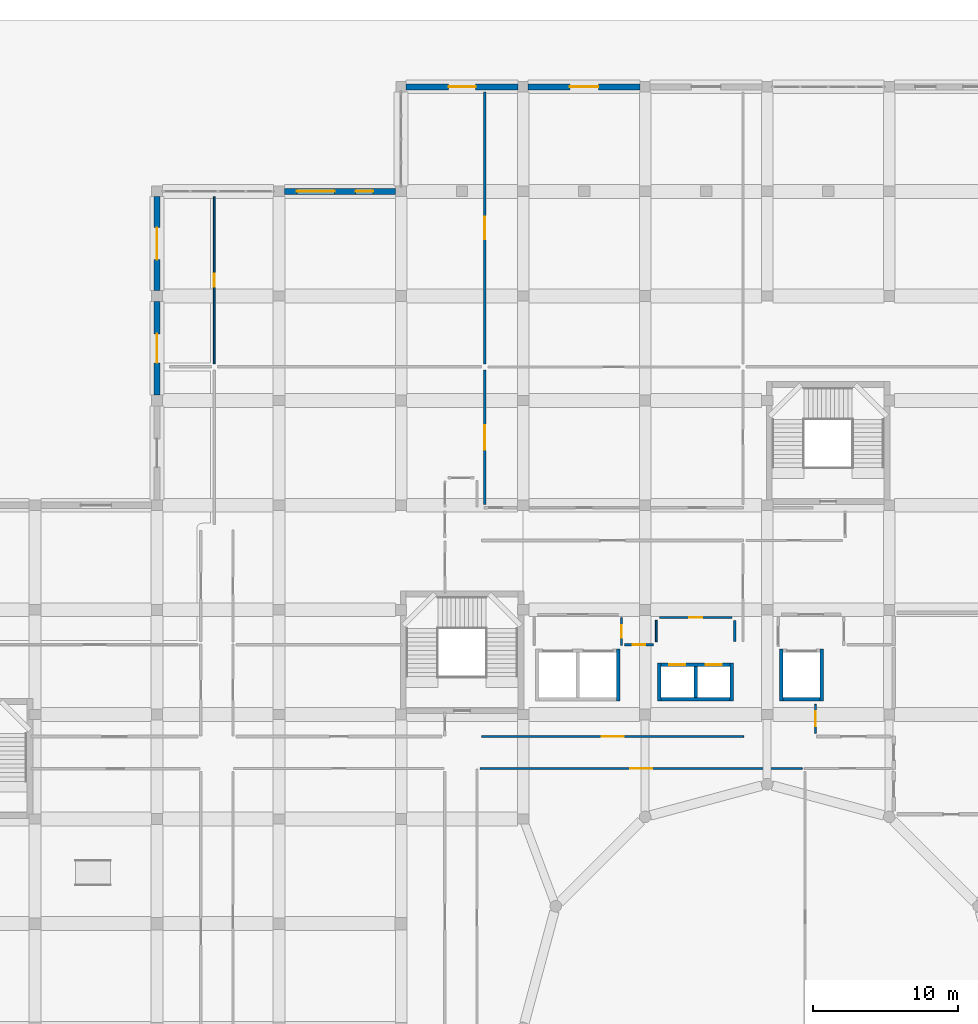
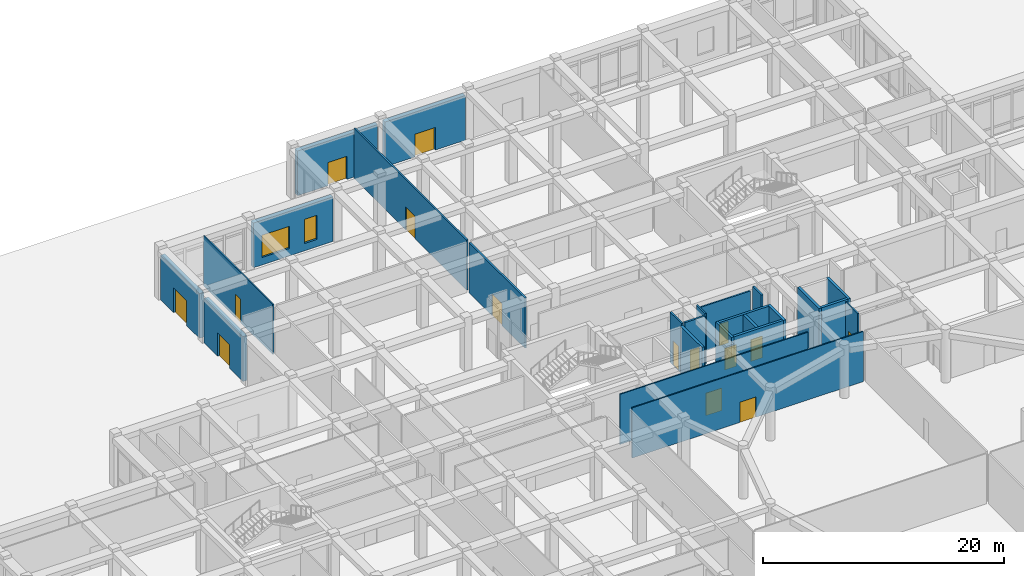
# One storey, part 72 of 84: 25 walls, 15 doors, 2 windows, 17 openings.
"""IFC4 building model written with IfcOpenShell, lengths in metres."""

from ifc_helpers import new_model, si_unit, derived_unit, direction, frame, frame_2d, origin, place, context, subcontext, project, spatial, rectangle, extrude, material, layer, layer_set, type_object, element, fill, save


model = new_model("IFC4")

# Units and contexts
model_context = context("Model", 3, precision=1e-05, world=origin(), true_north=direction((0.0, 1.0)))
body_context = subcontext(model_context, "Body", "Model", "MODEL_VIEW")
ifc_project = project(units=[si_unit("LENGTHUNIT", "METRE"), si_unit("AREAUNIT", "SQUARE_METRE"), si_unit("VOLUMEUNIT", "CUBIC_METRE"), si_unit("PLANEANGLEUNIT", "RADIAN"), si_unit("MASSUNIT", "GRAM", prefix="KILO"), derived_unit("THERMALTRANSMITTANCEUNIT", [(si_unit("POWERUNIT", "WATT"), 1), (si_unit("LENGTHUNIT", "METRE"), -2), (si_unit("THERMODYNAMICTEMPERATUREUNIT", "KELVIN"), -1)])], contexts=[model_context])

# Site, building, storey
site_placement = place(None, origin())
site = spatial("IfcSite", under=ifc_project, at=site_placement, CompositionType="ELEMENT")
building_placement = place(site_placement, origin())
building = spatial("IfcBuilding", under=site, at=building_placement, Name="Veybourne Emporium", CompositionType="ELEMENT")
storey_placement = place(building_placement, origin())
storey = spatial("IfcBuildingStorey", under=building, at=storey_placement, Name="L00", CompositionType="ELEMENT", Elevation=0.0)

# Wall, opening, door
ifc_material_1 = material(Name="Honed Black Granite Plinth", Category="masonry")
ifc_layer_1 = layer(ifc_material_1, 0.419921875)
ifc_layer_set_1 = layer_set([ifc_layer_1], Name="Honed Black Granite Plinth")
wall_type_1 = type_object("IfcWallType", Name="ExtWall_EW-02", PredefinedType="SOLIDWALL", material=ifc_layer_set_1)
wall_1_placement = place(storey_placement, frame((33.60009765625, 93.97509765625, 0.0), z_axis=(0.0, 0.0, 1.0), x_axis=(0.0, 1.0, 0.0)))
wall_1 = element("IfcWall", 1, at=wall_1_placement, inside=storey, type_object=wall_type_1, Name="Ground street granite plinth entrance wall 023", PredefinedType="SOLIDWALL", context=body_context, shape_type="SweptSolid", body=[
    extrude(rectangle(XDim=6.449951171875, YDim=0.419921875, at=frame_2d((3.22509765625, 0.0))), origin(), (0.0, 0.0, 1.0), 4.530029296875),
])
opening_1_placement = place(wall_1_placement, frame((2.22509765625, 0.0, 0.0)))
opening_1 = element("IfcOpeningElement", 2, at=opening_1_placement, cuts=wall_1, Name="Opening EX-01", PredefinedType="OPENING", context=body_context, shape_type="SweptSolid", body=[
    extrude(rectangle(XDim=2.0, YDim=2.39990234375, at=frame_2d((1.0, 1.199951171875))), frame((0.0, 0.22998046875, 0.0), z_axis=(0.0, -1.0, 0.0), x_axis=(1.0, 0.0, 0.0)), (0.0, 0.0, 1.0), 0.4599609375),
])
ifc_material_2 = material(Name="Patinated Architectural Bronze", Category="bronze")
door_type_1 = type_object("IfcDoorType", Name="ExitDoor_EX-01", OperationType="DOUBLE_DOOR_SINGLE_SWING", PredefinedType="DOOR", material=ifc_material_2)
door_1_placement = place(opening_1_placement, origin())
door_1 = element("IfcDoor", 3, at=door_1_placement, inside=storey, type_object=door_type_1, Name="Pedestrian final exit door EX-01 #12", OperationType="DOUBLE_DOOR_SINGLE_SWING", OverallHeight=2.39990234375, OverallWidth=2.0, PredefinedType="DOOR", context=body_context, shape_type="SweptSolid", body=[
    extrude(rectangle(XDim=2.0, YDim=2.39990234375, at=frame_2d((1.0, 1.199951171875))), frame((0.0, 0.02490234375, 0.0), z_axis=(0.0, -1.0, 0.0), x_axis=(1.0, 0.0, 0.0)), (0.0, 0.0, 1.0), 0.050048828125),
])
fill(opening_1, door_1)

wall_2_placement = place(storey_placement, frame((33.60009765625, 101.175048828125, 0.0), z_axis=(0.0, 0.0, 1.0), x_axis=(0.0, 1.0, 0.0)))
wall_2 = element("IfcWall", 4, at=wall_2_placement, inside=storey, type_object=wall_type_1, Name="Ground street granite plinth entrance wall 025", PredefinedType="SOLIDWALL", context=body_context, shape_type="SweptSolid", body=[
    extrude(rectangle(XDim=6.46484375, YDim=0.419921875, at=frame_2d((3.232421875, 0.0))), origin(), (0.0, 0.0, 1.0), 4.530029296875),
])
opening_2_placement = place(wall_2_placement, frame((2.132568359375, 0.0, 0.0)))
opening_2 = element("IfcOpeningElement", 5, at=opening_2_placement, cuts=wall_2, Name="Opening EX-02", PredefinedType="OPENING", context=body_context, shape_type="SweptSolid", body=[
    extrude(rectangle(XDim=2.199951171875, YDim=2.5, at=frame_2d((1.10009765625, 1.25))), frame((0.0, 0.22998046875, 0.0), z_axis=(0.0, -1.0, 0.0), x_axis=(1.0, 0.0, 0.0)), (0.0, 0.0, 1.0), 0.4599609375),
])
door_type_2 = type_object("IfcDoorType", Name="ExitDoor_EX-02", OperationType="DOUBLE_DOOR_SINGLE_SWING", PredefinedType="DOOR", material=ifc_material_2)
door_2_placement = place(opening_2_placement, origin())
door_2 = element("IfcDoor", 6, at=door_2_placement, inside=storey, type_object=door_type_2, Name="Pedestrian final exit door EX-02 #13", OperationType="DOUBLE_DOOR_SINGLE_SWING", OverallHeight=2.5, OverallWidth=2.199951171875, PredefinedType="DOOR", context=body_context, shape_type="SweptSolid", body=[
    extrude(rectangle(XDim=2.199951171875, YDim=2.5, at=frame_2d((1.10009765625, 1.25))), frame((0.0, 0.02490234375, 0.0), z_axis=(0.0, -1.0, 0.0), x_axis=(1.0, 0.0, 0.0)), (0.0, 0.0, 1.0), 0.050048828125),
])
fill(opening_2, door_2)

# Wall, openings, windows
wall_3_placement = place(storey_placement, frame((42.389892578125, 108.0, 0.0), z_axis=(0.0, 0.0, 1.0), x_axis=(1.0, 0.0, 0.0)))
wall_3 = element("IfcWall", 7, at=wall_3_placement, inside=storey, type_object=wall_type_1, Name="L00 Portland stone external wall 027", PredefinedType="SOLIDWALL", context=body_context, shape_type="SweptSolid", body=[
    extrude(rectangle(XDim=7.6201171875, YDim=0.419921875, at=frame_2d((3.81005859375, 0.0))), origin(), (0.0, 0.0, 1.0), 4.530029296875),
])
opening_3_placement = place(wall_3_placement, frame((0.83349609375, 0.0, 0.75)))
opening_3 = element("IfcOpeningElement", 8, at=opening_3_placement, cuts=wall_3, Name="Opening W-24", PredefinedType="OPENING", context=body_context, shape_type="SweptSolid", body=[
    extrude(rectangle(XDim=2.60009765625, YDim=2.260009765625, at=frame_2d((1.300048828125, 1.1298828125))), frame((0.0, 0.22998046875, 0.0), z_axis=(0.0, -1.0, 0.0), x_axis=(1.0, 0.0, 0.0)), (0.0, 0.0, 1.0), 0.4599609375),
])
opening_4_placement = place(wall_3_placement, frame((4.886474609375, 0.0, 0.75)))
opening_4 = element("IfcOpeningElement", 9, at=opening_4_placement, cuts=wall_3, Name="Opening W-25", PredefinedType="OPENING", context=body_context, shape_type="SweptSolid", body=[
    extrude(rectangle(XDim=1.199951171875, YDim=2.43994140625, at=frame_2d((0.60009765625, 1.219970703125))), frame((0.0, 0.22998046875, 0.0), z_axis=(0.0, -1.0, 0.0), x_axis=(1.0, 0.0, 0.0)), (0.0, 0.0, 1.0), 0.4599609375),
])
ifc_material_3 = material(Name="Low-E Triple Glazing", Category="glass")
window_type_1 = type_object("IfcWindowType", Name="Win_W-24", PartitioningType="TRIPLE_PANEL_VERTICAL", PredefinedType="WINDOW", material=ifc_material_3)
window_1_placement = place(opening_3_placement, origin())
window_1 = element("IfcWindow", 10, at=window_1_placement, inside=storey, type_object=window_type_1, Name="L00 tripartite bronze casement window W-24 (27.1)", OverallHeight=2.260009765625, OverallWidth=2.60009765625, PartitioningType="TRIPLE_PANEL_VERTICAL", PredefinedType="WINDOW", context=body_context, shape_type="SweptSolid", body=[
    extrude(rectangle(XDim=2.60009765625, YDim=2.260009765625, at=frame_2d((1.300048828125, 1.1298828125))), frame((0.0, 0.030029296875, 0.0), z_axis=(0.0, -1.0, 0.0), x_axis=(1.0, 0.0, 0.0)), (0.0, 0.0, 1.0), 0.06005859375),
])
fill(opening_3, window_1)
window_type_2 = type_object("IfcWindowType", Name="Win_W-25", PartitioningType="SINGLE_PANEL", PredefinedType="WINDOW", material=ifc_material_3)
window_2_placement = place(opening_4_placement, origin())
window_2 = element("IfcWindow", 11, at=window_2_placement, inside=storey, type_object=window_type_2, Name="L00 tripartite bronze casement window W-25 (27.2)", OverallHeight=2.43994140625, OverallWidth=1.199951171875, PartitioningType="SINGLE_PANEL", PredefinedType="WINDOW", context=body_context, shape_type="SweptSolid", body=[
    extrude(rectangle(XDim=1.199951171875, YDim=2.43994140625, at=frame_2d((0.60009765625, 1.219970703125))), frame((0.0, 0.030029296875, 0.0), z_axis=(0.0, -1.0, 0.0), x_axis=(1.0, 0.0, 0.0)), (0.0, 0.0, 1.0), 0.06005859375),
])
fill(opening_4, window_2)

# Wall, opening, door
wall_4_placement = place(storey_placement, frame((50.75, 115.199951171875, 0.0), z_axis=(0.0, 0.0, 1.0), x_axis=(1.0, 0.0, 0.0)))
wall_4 = element("IfcWall", 12, at=wall_4_placement, inside=storey, type_object=wall_type_1, Name="Ground street granite plinth entrance wall 029", PredefinedType="SOLIDWALL", context=body_context, shape_type="SweptSolid", body=[
    extrude(rectangle(XDim=7.699951171875, YDim=0.419921875, at=frame_2d((3.85009765625, 0.0))), origin(), (0.0, 0.0, 1.0), 4.530029296875),
])
opening_5_placement = place(wall_4_placement, frame((2.925048828125, 0.0, 0.0)))
opening_5 = element("IfcOpeningElement", 13, at=opening_5_placement, cuts=wall_4, Name="Opening EX-04", PredefinedType="OPENING", context=body_context, shape_type="SweptSolid", body=[
    extrude(rectangle(XDim=1.85009765625, YDim=2.35009765625, at=frame_2d((0.925048828125, 1.175048828125))), frame((0.0, 0.22998046875, 0.0), z_axis=(0.0, -1.0, 0.0), x_axis=(1.0, 0.0, 0.0)), (0.0, 0.0, 1.0), 0.4599609375),
])
door_type_3 = type_object("IfcDoorType", Name="ExitDoor_EX-04", OperationType="DOUBLE_DOOR_SINGLE_SWING", PredefinedType="DOOR", material=ifc_material_2)
door_3_placement = place(opening_5_placement, origin())
door_3 = element("IfcDoor", 14, at=door_3_placement, inside=storey, type_object=door_type_3, Name="Pedestrian final exit door EX-04 #15", OperationType="DOUBLE_DOOR_SINGLE_SWING", OverallHeight=2.35009765625, OverallWidth=1.85009765625, PredefinedType="DOOR", context=body_context, shape_type="SweptSolid", body=[
    extrude(rectangle(XDim=1.85009765625, YDim=2.35009765625, at=frame_2d((0.925048828125, 1.175048828125))), frame((0.0, 0.02490234375, 0.0), z_axis=(0.0, -1.0, 0.0), x_axis=(1.0, 0.0, 0.0)), (0.0, 0.0, 1.0), 0.050048828125),
])
fill(opening_5, door_3)

wall_5_placement = place(storey_placement, frame((59.14990234375, 115.199951171875, 0.0), z_axis=(0.0, 0.0, 1.0), x_axis=(1.0, 0.0, 0.0)))
wall_5 = element("IfcWall", 15, at=wall_5_placement, inside=storey, type_object=wall_type_1, Name="Ground street granite plinth entrance wall 032", PredefinedType="SOLIDWALL", context=body_context, shape_type="SweptSolid", body=[
    extrude(rectangle(XDim=7.7001953125, YDim=0.419921875, at=frame_2d((3.85009765625, 0.0))), origin(), (0.0, 0.0, 1.0), 4.530029296875),
])
opening_6_placement = place(wall_5_placement, frame((2.875, 0.0, 0.0)))
opening_6 = element("IfcOpeningElement", 16, at=opening_6_placement, cuts=wall_5, Name="Opening EX-06", PredefinedType="OPENING", context=body_context, shape_type="SweptSolid", body=[
    extrude(rectangle(XDim=1.949951171875, YDim=2.300048828125, at=frame_2d((0.97509765625, 1.14990234375))), frame((0.0, 0.22998046875, 0.0), z_axis=(0.0, -1.0, 0.0), x_axis=(1.0, 0.0, 0.0)), (0.0, 0.0, 1.0), 0.4599609375),
])
door_type_4 = type_object("IfcDoorType", Name="ExitDoor_EX-06", OperationType="DOUBLE_DOOR_SINGLE_SWING", PredefinedType="DOOR", material=ifc_material_2)
door_4_placement = place(opening_6_placement, origin())
door_4 = element("IfcDoor", 17, at=door_4_placement, inside=storey, type_object=door_type_4, Name="Pedestrian final exit door EX-06 #17", OperationType="DOUBLE_DOOR_SINGLE_SWING", OverallHeight=2.300048828125, OverallWidth=1.949951171875, PredefinedType="DOOR", context=body_context, shape_type="SweptSolid", body=[
    extrude(rectangle(XDim=1.949951171875, YDim=2.300048828125, at=frame_2d((0.97509765625, 1.14990234375))), frame((0.0, 0.02490234375, 0.0), z_axis=(0.0, -1.0, 0.0), x_axis=(1.0, 0.0, 0.0)), (0.0, 0.0, 1.0), 0.050048828125),
])
fill(opening_6, door_4)

# Wall, openings, doors
ifc_material_4 = material(Name="Concrete C40/50", Category="concrete")
ifc_layer_2 = layer(ifc_material_4, 0.239990234375)
ifc_layer_set_2 = layer_set([ifc_layer_2], Name="Concrete C40/50")
wall_type_2 = type_object("IfcWallType", Name="IntWall_CW-04", PredefinedType="SHEAR", material=ifc_layer_set_2)
wall_6_placement = place(storey_placement, frame((73.0400390625, 75.419921875, 0.0), z_axis=(0.0, 0.0, 1.0), x_axis=(-1.0, 0.0, 0.0)))
wall_6 = element("IfcWall", 18, at=wall_6_placement, inside=storey, type_object=wall_type_2, Name="Lift core C4P north shaft wall (L00)", PredefinedType="SHEAR", context=body_context, shape_type="SweptSolid", body=[
    extrude(rectangle(XDim=4.739990234375, YDim=0.239990234375, at=frame_2d((2.3701171875, 0.0))), origin(), (0.0, 0.0, 1.0), 5.080078125),
])
opening_7_placement = place(wall_6_placement, frame((3.06494140625, 0.0, 0.0)))
opening_7 = element("IfcOpeningElement", 19, at=opening_7_placement, cuts=wall_6, Name="Opening LD-01", PredefinedType="OPENING", context=body_context, shape_type="SweptSolid", body=[
    extrude(rectangle(XDim=1.10009765625, YDim=2.199951171875, at=frame_2d((0.550048828125, 1.10009765625))), frame((0.0, 0.14013671875, 0.0), z_axis=(0.0, -1.0, 0.0), x_axis=(1.0, 0.0, 0.0)), (0.0, 0.0, 1.0), 0.280029296875),
])
opening_8_placement = place(wall_6_placement, frame((0.574951171875, 0.0, 0.0)))
opening_8 = element("IfcOpeningElement", 20, at=opening_8_placement, cuts=wall_6, Name="Opening LD-01", PredefinedType="OPENING", context=body_context, shape_type="SweptSolid", body=[
    extrude(rectangle(XDim=1.10009765625, YDim=2.199951171875, at=frame_2d((0.550048828125, 1.10009765625))), frame((0.0, 0.14013671875, 0.0), z_axis=(0.0, -1.0, 0.0), x_axis=(1.0, 0.0, 0.0)), (0.0, 0.0, 1.0), 0.280029296875),
])
door_type_5 = type_object("IfcDoorType", Name="FireDoor_LD-01", OperationType="DOUBLE_DOOR_SLIDING", PredefinedType="DOOR", material=ifc_material_2)
door_5_placement = place(opening_7_placement, origin())
door_5 = element("IfcDoor", 21, at=door_5_placement, inside=storey, type_object=door_type_5, Name="Lift PL-05 sliding landing door (L00)", OperationType="DOUBLE_DOOR_SLIDING", OverallHeight=2.199951171875, OverallWidth=1.10009765625, PredefinedType="DOOR", context=body_context, shape_type="SweptSolid", body=[
    extrude(rectangle(XDim=1.10009765625, YDim=2.199951171875, at=frame_2d((0.550048828125, 1.10009765625))), frame((0.0, 0.02490234375, 0.0), z_axis=(0.0, -1.0, 0.0), x_axis=(1.0, 0.0, 0.0)), (0.0, 0.0, 1.0), 0.050048828125),
])
fill(opening_7, door_5)
door_6_placement = place(opening_8_placement, origin())
door_6 = element("IfcDoor", 22, at=door_6_placement, inside=storey, type_object=door_type_5, Name="Lift PL-06 sliding landing door (L00)", OperationType="DOUBLE_DOOR_SLIDING", OverallHeight=2.199951171875, OverallWidth=1.10009765625, PredefinedType="DOOR", context=body_context, shape_type="SweptSolid", body=[
    extrude(rectangle(XDim=1.10009765625, YDim=2.199951171875, at=frame_2d((0.550048828125, 1.10009765625))), frame((0.0, 0.02490234375, 0.0), z_axis=(0.0, -1.0, 0.0), x_axis=(1.0, 0.0, 0.0)), (0.0, 0.0, 1.0), 0.050048828125),
])
fill(opening_8, door_6)

# Walls
wall_7_placement = place(storey_placement, frame((68.300048828125, 73.030029296875, 0.0), z_axis=(0.0, 0.0, 1.0), x_axis=(1.0, 0.0, 0.0)))
element("IfcWall", 23, at=wall_7_placement, inside=storey, type_object=wall_type_2, Name="Lift core C4P south shaft wall (L00)", PredefinedType="SHEAR", context=body_context, shape_type="SweptSolid", body=[
    extrude(rectangle(XDim=4.739990234375, YDim=0.239990234375, at=frame_2d((2.3701171875, 0.0))), origin(), (0.0, 0.0, 1.0), 5.080078125),
])
for number, where, z_axis, x_axis, name in (
    (24, (68.179931640625, 75.5400390625, 0.0), (0.0, 0.0, 1.0), (0.0, -1.0, 0.0), "Lift core C4P west shaft wall (L00)"),
    (25, (73.159912109375, 72.909912109375, 0.0), (0.0, 0.0, 1.0), (0.0, 1.0, 0.0), "Lift core C4P east shaft wall (L00)"),
):
    element("IfcWall", number, at=place(storey_placement, frame(where, z_axis=z_axis, x_axis=x_axis)), inside=storey, type_object=wall_type_2, Name=name, PredefinedType="SHEAR", context=body_context, shape_type="SweptSolid", body=[
        extrude(rectangle(XDim=2.630126953125, YDim=0.239990234375, at=frame_2d((1.31494140625, 0.0))), origin(), (0.0, 0.0, 1.0), 5.080078125),
    ])
wall_8_placement = place(storey_placement, frame((70.669921875, 73.14990234375, 0.0), z_axis=(0.0, 0.0, 1.0), x_axis=(0.0, 1.0, 0.0)))
element("IfcWall", 26, at=wall_8_placement, inside=storey, type_object=wall_type_2, Name="Lift core C4P divider wall 1 (L00)", PredefinedType="SHEAR", context=body_context, shape_type="SweptSolid", body=[
    extrude(rectangle(XDim=2.150146484375, YDim=0.239990234375, at=frame_2d((1.0751953125, 0.0))), origin(), (0.0, 0.0, 1.0), 5.080078125),
])
wall_9_placement = place(storey_placement, frame((65.360107421875, 72.909912109375, 0.0), z_axis=(0.0, 0.0, 1.0), x_axis=(0.0, 1.0, 0.0)))
element("IfcWall", 27, at=wall_9_placement, inside=storey, type_object=wall_type_2, Name="Lift core C4G east shaft wall (L00)", PredefinedType="SHEAR", context=body_context, shape_type="SweptSolid", body=[
    extrude(rectangle(XDim=3.580078125, YDim=0.239990234375, at=frame_2d((1.7900390625, 0.0))), origin(), (0.0, 0.0, 1.0), 5.080078125),
])
wall_10_placement = place(storey_placement, frame((76.699951171875, 73.030029296875, 0.0), z_axis=(0.0, 0.0, 1.0), x_axis=(1.0, 0.0, 0.0)))
element("IfcWall", 28, at=wall_10_placement, inside=storey, type_object=wall_type_2, Name="Lift core C4E south shaft wall (L00)", PredefinedType="SHEAR", context=body_context, shape_type="SweptSolid", body=[
    extrude(rectangle(XDim=2.550048828125, YDim=0.239990234375, at=frame_2d((1.27490234375, 0.0))), origin(), (0.0, 0.0, 1.0), 5.080078125),
])
for number, where, z_axis, x_axis, name in (
    (29, (76.580078125, 76.489990234375, 0.0), (0.0, 0.0, 1.0), (0.0, -1.0, 0.0), "Lift core C4E west shaft wall (L00)"),
    (30, (79.3701171875, 72.909912109375, 0.0), (0.0, 0.0, 1.0), (0.0, 1.0, 0.0), "Lift core C4E east shaft wall (L00)"),
):
    element("IfcWall", number, at=place(storey_placement, frame(where, z_axis=z_axis, x_axis=x_axis)), inside=storey, type_object=wall_type_2, Name=name, PredefinedType="SHEAR", context=body_context, shape_type="SweptSolid", body=[
        extrude(rectangle(XDim=3.580078125, YDim=0.239990234375, at=frame_2d((1.7900390625, 0.0))), origin(), (0.0, 0.0, 1.0), 5.080078125),
    ])

# Wall, opening, door
ifc_material_5 = material(Name="Gypsum Acoustic Board", Category="gypsum")
ifc_layer_3 = layer(ifc_material_5, 0.179931640625)
ifc_layer_set_3 = layer_set([ifc_layer_3], Name="Gypsum Acoustic Board")
wall_type_3 = type_object("IfcWallType", Name="IntWall_IW-01", PredefinedType="PARTITIONING", material=ifc_layer_set_3)
wall_11_placement = place(storey_placement, frame((56.159912109375, 86.43994140625, 0.0), z_axis=(0.0, 0.0, 1.0), x_axis=(0.0, 1.0, 0.0)))
wall_11 = element("IfcWall", 31, at=wall_11_placement, inside=storey, type_object=wall_type_3, Name="L00 interior partition IW-01 #086", PredefinedType="PARTITIONING", context=body_context, shape_type="SweptSolid", body=[
    extrude(rectangle(XDim=9.27001953125, YDim=0.179931640625, at=frame_2d((4.635009765625, 0.0))), origin(), (0.0, 0.0, 1.0), 5.080078125),
])
opening_9_placement = place(wall_11_placement, frame((3.794921875, 0.0, 0.0)))
opening_9 = element("IfcOpeningElement", 32, at=opening_9_placement, cuts=wall_11, Name="Opening D-18", PredefinedType="OPENING", context=body_context, shape_type="SweptSolid", body=[
    extrude(rectangle(XDim=1.679931640625, YDim=2.2099609375, at=frame_2d((0.83984375, 1.10498046875))), frame((0.0, 0.10986328125, 0.0), z_axis=(0.0, -1.0, 0.0), x_axis=(1.0, 0.0, 0.0)), (0.0, 0.0, 1.0), 0.219970703125),
])
ifc_material_6 = material(Name="European Oak Veneer and Bronze", Category="wood")
door_type_6 = type_object("IfcDoorType", Name="IntDoor_D-18", OperationType="DOUBLE_DOOR_SINGLE_SWING", PredefinedType="DOOR", material=ifc_material_6)
door_7_placement = place(opening_9_placement, origin())
door_7 = element("IfcDoor", 33, at=door_7_placement, inside=storey, type_object=door_type_6, Name="L00 interior door D-18 (PART-L00-086)", OperationType="DOUBLE_DOOR_SINGLE_SWING", OverallHeight=2.2099609375, OverallWidth=1.679931640625, PredefinedType="DOOR", context=body_context, shape_type="SweptSolid", body=[
    extrude(rectangle(XDim=1.679931640625, YDim=2.2099609375, at=frame_2d((0.83984375, 1.10498046875))), frame((0.0, 0.02490234375, 0.0), z_axis=(0.0, -1.0, 0.0), x_axis=(1.0, 0.0, 0.0)), (0.0, 0.0, 1.0), 0.050048828125),
])
fill(opening_9, door_7)

wall_12_placement = place(storey_placement, frame((65.7900390625, 76.800048828125, 0.0), z_axis=(0.0, 0.0, 1.0), x_axis=(1.0, 0.0, 0.0)))
wall_12 = element("IfcWall", 34, at=wall_12_placement, inside=storey, type_object=wall_type_3, Name="L00 interior partition IW-01 #170", PredefinedType="PARTITIONING", context=body_context, shape_type="SweptSolid", body=[
    extrude(rectangle(XDim=1.969970703125, YDim=0.179931640625, at=frame_2d((0.98486328125, 0.0))), origin(), (0.0, 0.0, 1.0), 5.080078125),
])
opening_10_placement = place(wall_12_placement, frame((0.544921875, 0.0, 0.0)))
opening_10 = element("IfcOpeningElement", 35, at=opening_10_placement, cuts=wall_12, Name="Opening D-01", PredefinedType="OPENING", context=body_context, shape_type="SweptSolid", body=[
    extrude(rectangle(XDim=0.8798828125, YDim=2.050048828125, at=frame_2d((0.43994140625, 1.02490234375))), frame((0.0, 0.10986328125, 0.0), z_axis=(0.0, -1.0, 0.0), x_axis=(1.0, 0.0, 0.0)), (0.0, 0.0, 1.0), 0.219970703125),
])
door_type_7 = type_object("IfcDoorType", Name="IntDoor_D-01", OperationType="NOTDEFINED", PredefinedType="DOOR", material=ifc_material_6)
door_8_placement = place(opening_10_placement, origin())
door_8 = element("IfcDoor", 36, at=door_8_placement, inside=storey, type_object=door_type_7, Name="L00 interior door D-01 (PART-L00-170)", OperationType="SINGLE_SWING_LEFT", OverallHeight=2.050048828125, OverallWidth=0.8798828125, PredefinedType="DOOR", context=body_context, shape_type="SweptSolid", body=[
    extrude(rectangle(XDim=0.8798828125, YDim=2.050048828125, at=frame_2d((0.43994140625, 1.02490234375))), frame((0.0, 0.02490234375, 0.0), z_axis=(0.0, -1.0, 0.0), x_axis=(1.0, 0.0, 0.0)), (0.0, 0.0, 1.0), 0.050048828125),
])
fill(opening_10, door_8)

# Wall
wall_13_placement = place(storey_placement, frame((73.3798828125, 77.010009765625, 0.0), z_axis=(0.0, 0.0, 1.0), x_axis=(0.0, 1.0, 0.0)))
element("IfcWall", 37, at=wall_13_placement, inside=storey, type_object=wall_type_3, Name="L00 interior partition IW-01 #197", PredefinedType="PARTITIONING", context=body_context, shape_type="SweptSolid", body=[
    extrude(rectangle(XDim=1.4599609375, YDim=0.179931640625, at=frame_2d((0.72998046875, 0.0))), origin(), (0.0, 0.0, 1.0), 5.080078125),
])

# Wall, opening, door
ifc_layer_4 = layer(ifc_material_5, 0.14990234375)
ifc_layer_set_4 = layer_set([ifc_layer_4], Name="Gypsum Acoustic Board")
wall_type_4 = type_object("IfcWallType", Name="IntWall_IW-02", PredefinedType="PARTITIONING", material=ifc_layer_set_4)
wall_14_placement = place(storey_placement, frame((68.179931640625, 78.679931640625, 0.0), z_axis=(0.0, 0.0, 1.0), x_axis=(1.0, 0.0, 0.0)))
wall_14 = element("IfcWall", 38, at=wall_14_placement, inside=storey, type_object=wall_type_4, Name="L00 interior partition IW-02 #117", PredefinedType="PARTITIONING", context=body_context, shape_type="SweptSolid", body=[
    extrude(rectangle(XDim=4.989990234375, YDim=0.14990234375, at=frame_2d((2.4951171875, 0.0))), origin(), (0.0, 0.0, 1.0), 4.580078125),
])
opening_11_placement = place(wall_14_placement, frame((2.054931640625, 0.0, 0.0)))
opening_11 = element("IfcOpeningElement", 39, at=opening_11_placement, cuts=wall_14, Name="Opening D-13", PredefinedType="OPENING", context=body_context, shape_type="SweptSolid", body=[
    extrude(rectangle(XDim=0.8798828125, YDim=2.2099609375, at=frame_2d((0.43994140625, 1.10498046875))), frame((0.0, 0.094970703125, 0.0), z_axis=(0.0, -1.0, 0.0), x_axis=(1.0, 0.0, 0.0)), (0.0, 0.0, 1.0), 0.18994140625),
])
door_type_8 = type_object("IfcDoorType", Name="IntDoor_D-13", OperationType="NOTDEFINED", PredefinedType="DOOR", material=ifc_material_6)
door_9_placement = place(opening_11_placement, origin())
door_9 = element("IfcDoor", 40, at=door_9_placement, inside=storey, type_object=door_type_8, Name="L00 interior door D-13 (PART-L00-117)", OperationType="SINGLE_SWING_RIGHT", OverallHeight=2.2099609375, OverallWidth=0.8798828125, PredefinedType="DOOR", context=body_context, shape_type="SweptSolid", body=[
    extrude(rectangle(XDim=0.8798828125, YDim=2.2099609375, at=frame_2d((0.43994140625, 1.10498046875))), frame((0.0, 0.02490234375, 0.0), z_axis=(0.0, -1.0, 0.0), x_axis=(1.0, 0.0, 0.0)), (0.0, 0.0, 1.0), 0.050048828125),
])
fill(opening_11, door_9)

wall_15_placement = place(storey_placement, frame((65.580078125, 76.75, 0.0), z_axis=(0.0, 0.0, 1.0), x_axis=(0.0, 1.0, 0.0)))
wall_15 = element("IfcWall", 41, at=wall_15_placement, inside=storey, type_object=wall_type_4, Name="L00 interior partition IW-02 #171", PredefinedType="PARTITIONING", context=body_context, shape_type="SweptSolid", body=[
    extrude(rectangle(XDim=1.919921875, YDim=0.14990234375, at=frame_2d((0.9599609375, 0.0))), origin(), (0.0, 0.0, 1.0), 5.080078125),
])
opening_12_placement = place(wall_15_placement, frame((0.52001953125, 0.0, 0.0)))
opening_12 = element("IfcOpeningElement", 42, at=opening_12_placement, cuts=wall_15, Name="Opening D-31", PredefinedType="OPENING", context=body_context, shape_type="SweptSolid", body=[
    extrude(rectangle(XDim=0.8798828125, YDim=2.449951171875, at=frame_2d((0.43994140625, 1.22509765625))), frame((0.0, 0.094970703125, 0.0), z_axis=(0.0, -1.0, 0.0), x_axis=(1.0, 0.0, 0.0)), (0.0, 0.0, 1.0), 0.18994140625),
])
door_type_9 = type_object("IfcDoorType", Name="IntDoor_D-31", OperationType="NOTDEFINED", PredefinedType="DOOR", material=ifc_material_6)
door_10_placement = place(opening_12_placement, origin())
door_10 = element("IfcDoor", 43, at=door_10_placement, inside=storey, type_object=door_type_9, Name="L00 interior door D-31 (PART-L00-171)", OperationType="SINGLE_SWING_RIGHT", OverallHeight=2.449951171875, OverallWidth=0.8798828125, PredefinedType="DOOR", context=body_context, shape_type="SweptSolid", body=[
    extrude(rectangle(XDim=0.8798828125, YDim=2.449951171875, at=frame_2d((0.43994140625, 1.22509765625))), frame((0.0, 0.02490234375, 0.0), z_axis=(0.0, -1.0, 0.0), x_axis=(1.0, 0.0, 0.0)), (0.0, 0.0, 1.0), 0.050048828125),
])
fill(opening_12, door_10)

wall_16_placement = place(storey_placement, frame((56.159912109375, 96.1298828125, 0.0), z_axis=(0.0, 0.0, 1.0), x_axis=(0.0, 1.0, 0.0)))
wall_16 = element("IfcWall", 44, at=wall_16_placement, inside=storey, type_object=wall_type_4, Name="L00 interior partition IW-02 #201", PredefinedType="PARTITIONING", context=body_context, shape_type="SweptSolid", body=[
    extrude(rectangle(XDim=18.7001953125, YDim=0.14990234375, at=frame_2d((9.35009765625, 0.0))), origin(), (0.0, 0.0, 1.0), 5.080078125),
])
opening_13_placement = place(wall_16_placement, frame((8.590087890625, 0.0, 0.0)))
opening_13 = element("IfcOpeningElement", 45, at=opening_13_placement, cuts=wall_16, Name="Opening D-23", PredefinedType="OPENING", context=body_context, shape_type="SweptSolid", body=[
    extrude(rectangle(XDim=1.52001953125, YDim=2.2900390625, at=frame_2d((0.760009765625, 1.14501953125))), frame((0.0, 0.094970703125, 0.0), z_axis=(0.0, -1.0, 0.0), x_axis=(1.0, 0.0, 0.0)), (0.0, 0.0, 1.0), 0.18994140625),
])
door_type_10 = type_object("IfcDoorType", Name="IntDoor_D-23", OperationType="NOTDEFINED", PredefinedType="DOOR", material=ifc_material_6)
door_11_placement = place(opening_13_placement, origin())
door_11 = element("IfcDoor", 46, at=door_11_placement, inside=storey, type_object=door_type_10, Name="L00 interior door D-23 (PART-L00-201)", OperationType="SINGLE_SWING_RIGHT", OverallHeight=2.2900390625, OverallWidth=1.52001953125, PredefinedType="DOOR", context=body_context, shape_type="SweptSolid", body=[
    extrude(rectangle(XDim=1.52001953125, YDim=2.2900390625, at=frame_2d((0.760009765625, 1.14501953125))), frame((0.0, 0.02490234375, 0.0), z_axis=(0.0, -1.0, 0.0), x_axis=(1.0, 0.0, 0.0)), (0.0, 0.0, 1.0), 0.050048828125),
])
fill(opening_13, door_11)

ifc_layer_5 = layer(ifc_material_5, 0.1201171875)
ifc_layer_set_5 = layer_set([ifc_layer_5], Name="Gypsum Acoustic Board")
wall_type_5 = type_object("IfcWallType", Name="IntWall_IW-03", PredefinedType="PARTITIONING", material=ifc_layer_set_5)
wall_17_placement = place(storey_placement, frame((55.840087890625, 68.27001953125, 0.0), z_axis=(0.0, 0.0, 1.0), x_axis=(1.0, 0.0, 0.0)))
wall_17 = element("IfcWall", 47, at=wall_17_placement, inside=storey, type_object=wall_type_5, Name="L00 interior partition IW-03 #001", PredefinedType="PARTITIONING", context=body_context, shape_type="SweptSolid", body=[
    extrude(rectangle(XDim=22.164794921875, YDim=0.1201171875, at=frame_2d((11.08251953125, 0.0))), origin(), (0.0, 0.0, 1.0), 5.080078125),
])
opening_14_placement = place(wall_17_placement, frame((10.322509765625, 0.0, 0.0)))
opening_14 = element("IfcOpeningElement", 48, at=opening_14_placement, cuts=wall_17, Name="Opening D-05", PredefinedType="OPENING", context=body_context, shape_type="SweptSolid", body=[
    extrude(rectangle(XDim=1.52001953125, YDim=2.050048828125, at=frame_2d((0.760009765625, 1.02490234375))), frame((0.0, 0.080078125, 0.0), z_axis=(0.0, -1.0, 0.0), x_axis=(1.0, 0.0, 0.0)), (0.0, 0.0, 1.0), 0.16015625),
])
door_type_11 = type_object("IfcDoorType", Name="IntDoor_D-05", OperationType="NOTDEFINED", PredefinedType="DOOR", material=ifc_material_6)
door_12_placement = place(opening_14_placement, frame((1.52001953125, 0.0, 0.0), z_axis=(0.0, 0.0, 1.0), x_axis=(-1.0, 0.0, 0.0)))
door_12 = element("IfcDoor", 49, at=door_12_placement, inside=storey, type_object=door_type_11, Name="L00 interior door D-05 (PART-L00-001)", OperationType="SINGLE_SWING_LEFT", OverallHeight=2.050048828125, OverallWidth=1.52001953125, PredefinedType="DOOR", context=body_context, shape_type="SweptSolid", body=[
    extrude(rectangle(XDim=1.52001953125, YDim=2.050048828125, at=frame_2d((0.760009765625, 1.02490234375))), frame((0.0, 0.02490234375, 0.0), z_axis=(0.0, -1.0, 0.0), x_axis=(1.0, 0.0, 0.0)), (0.0, 0.0, 1.0), 0.050048828125),
])
fill(opening_14, door_12)

wall_18_placement = place(storey_placement, frame((55.949951171875, 70.47998046875, 0.0), z_axis=(0.0, 0.0, 1.0), x_axis=(1.0, 0.0, 0.0)))
wall_18 = element("IfcWall", 50, at=wall_18_placement, inside=storey, type_object=wall_type_5, Name="L00 interior partition IW-03 #019", PredefinedType="PARTITIONING", context=body_context, shape_type="SweptSolid", body=[
    extrude(rectangle(XDim=18.030029296875, YDim=0.1201171875, at=frame_2d((9.01513671875, 0.0))), origin(), (0.0, 0.0, 1.0), 5.080078125),
])
opening_15_placement = place(wall_18_placement, frame((8.2548828125, 0.0, 0.0)))
opening_15 = element("IfcOpeningElement", 51, at=opening_15_placement, cuts=wall_18, Name="Opening D-23", PredefinedType="OPENING", context=body_context, shape_type="SweptSolid", body=[
    extrude(rectangle(XDim=1.52001953125, YDim=2.2900390625, at=frame_2d((0.760009765625, 1.14501953125))), frame((0.0, 0.080078125, 0.0), z_axis=(0.0, -1.0, 0.0), x_axis=(1.0, 0.0, 0.0)), (0.0, 0.0, 1.0), 0.16015625),
])
door_13_placement = place(opening_15_placement, origin())
door_13 = element("IfcDoor", 52, at=door_13_placement, inside=storey, type_object=door_type_10, Name="L00 interior door D-23 (PART-L00-019)", OperationType="SINGLE_SWING_RIGHT", OverallHeight=2.2900390625, OverallWidth=1.52001953125, PredefinedType="DOOR", context=body_context, shape_type="SweptSolid", body=[
    extrude(rectangle(XDim=1.52001953125, YDim=2.2900390625, at=frame_2d((0.760009765625, 1.14501953125))), frame((0.0, 0.02490234375, 0.0), z_axis=(0.0, -1.0, 0.0), x_axis=(1.0, 0.0, 0.0)), (0.0, 0.0, 1.0), 0.050048828125),
])
fill(opening_15, door_13)

wall_19_placement = place(storey_placement, frame((78.929931640625, 70.68994140625, 0.0), z_axis=(0.0, 0.0, 1.0), x_axis=(0.0, 1.0, 0.0)))
wall_19 = element("IfcWall", 53, at=wall_19_placement, inside=storey, type_object=wall_type_5, Name="L00 interior partition IW-03 #166", PredefinedType="PARTITIONING", context=body_context, shape_type="SweptSolid", body=[
    extrude(rectangle(XDim=2.010009765625, YDim=0.1201171875, at=frame_2d((1.0048828125, 0.0))), origin(), (0.0, 0.0, 1.0), 5.080078125),
])
opening_16_placement = place(wall_19_placement, frame((0.485107421875, 0.0, 0.0)))
opening_16 = element("IfcOpeningElement", 54, at=opening_16_placement, cuts=wall_19, Name="Opening D-26", PredefinedType="OPENING", context=body_context, shape_type="SweptSolid", body=[
    extrude(rectangle(XDim=1.0400390625, YDim=2.3701171875, at=frame_2d((0.52001953125, 1.18505859375))), frame((0.0, 0.080078125, 0.0), z_axis=(0.0, -1.0, 0.0), x_axis=(1.0, 0.0, 0.0)), (0.0, 0.0, 1.0), 0.16015625),
])
door_type_12 = type_object("IfcDoorType", Name="IntDoor_D-26", OperationType="NOTDEFINED", PredefinedType="DOOR", material=ifc_material_6)
door_14_placement = place(opening_16_placement, frame((1.0400390625, 0.0, 0.0), z_axis=(0.0, 0.0, 1.0), x_axis=(-1.0, 0.0, 0.0)))
door_14 = element("IfcDoor", 55, at=door_14_placement, inside=storey, type_object=door_type_12, Name="L00 interior door D-26 (PART-L00-166)", OperationType="SINGLE_SWING_RIGHT", OverallHeight=2.3701171875, OverallWidth=1.0400390625, PredefinedType="DOOR", context=body_context, shape_type="SweptSolid", body=[
    extrude(rectangle(XDim=1.0400390625, YDim=2.3701171875, at=frame_2d((0.52001953125, 1.18505859375))), frame((0.0, 0.02490234375, 0.0), z_axis=(0.0, -1.0, 0.0), x_axis=(1.0, 0.0, 0.0)), (0.0, 0.0, 1.0), 0.050048828125),
])
fill(opening_16, door_14)

# Wall
wall_20_placement = place(storey_placement, frame((67.969970703125, 77.010009765625, 0.0), z_axis=(0.0, 0.0, 1.0), x_axis=(0.0, 1.0, 0.0)))
element("IfcWall", 56, at=wall_20_placement, inside=storey, type_object=wall_type_5, Name="L00 interior partition IW-03 #196", PredefinedType="PARTITIONING", context=body_context, shape_type="SweptSolid", body=[
    extrude(rectangle(XDim=1.4599609375, YDim=0.1201171875, at=frame_2d((0.72998046875, 0.0))), origin(), (0.0, 0.0, 1.0), 5.080078125),
])

# Wall, opening, door
wall_21_placement = place(storey_placement, frame((37.547119140625, 96.1298828125, 0.0), z_axis=(0.0, 0.0, 1.0), x_axis=(0.0, 1.0, 0.0)))
wall_21 = element("IfcWall", 57, at=wall_21_placement, inside=storey, type_object=wall_type_5, Name="L00 interior partition IW-03 #208", PredefinedType="PARTITIONING", context=body_context, shape_type="SweptSolid", body=[
    extrude(rectangle(XDim=11.5, YDim=0.1201171875, at=frame_2d((5.75, 0.0))), origin(), (0.0, 0.0, 1.0), 5.080078125),
])
opening_17_placement = place(wall_21_placement, frame((5.31005859375, 0.0, 0.0)))
opening_17 = element("IfcOpeningElement", 58, at=opening_17_placement, cuts=wall_21, Name="Opening D-25", PredefinedType="OPENING", context=body_context, shape_type="SweptSolid", body=[
    extrude(rectangle(XDim=0.8798828125, YDim=2.3701171875, at=frame_2d((0.43994140625, 1.18505859375))), frame((0.0, 0.080078125, 0.0), z_axis=(0.0, -1.0, 0.0), x_axis=(1.0, 0.0, 0.0)), (0.0, 0.0, 1.0), 0.16015625),
])
door_type_13 = type_object("IfcDoorType", Name="IntDoor_D-25", OperationType="NOTDEFINED", PredefinedType="DOOR", material=ifc_material_6)
door_15_placement = place(opening_17_placement, origin())
door_15 = element("IfcDoor", 59, at=door_15_placement, inside=storey, type_object=door_type_13, Name="L00 interior door D-25 (PART-L00-208)", OperationType="SINGLE_SWING_LEFT", OverallHeight=2.3701171875, OverallWidth=0.8798828125, PredefinedType="DOOR", context=body_context, shape_type="SweptSolid", body=[
    extrude(rectangle(XDim=0.8798828125, YDim=2.3701171875, at=frame_2d((0.43994140625, 1.18505859375))), frame((0.0, 0.02490234375, 0.0), z_axis=(0.0, -1.0, 0.0), x_axis=(1.0, 0.0, 0.0)), (0.0, 0.0, 1.0), 0.050048828125),
])
fill(opening_17, door_15)

save(model, "model.ifc")
